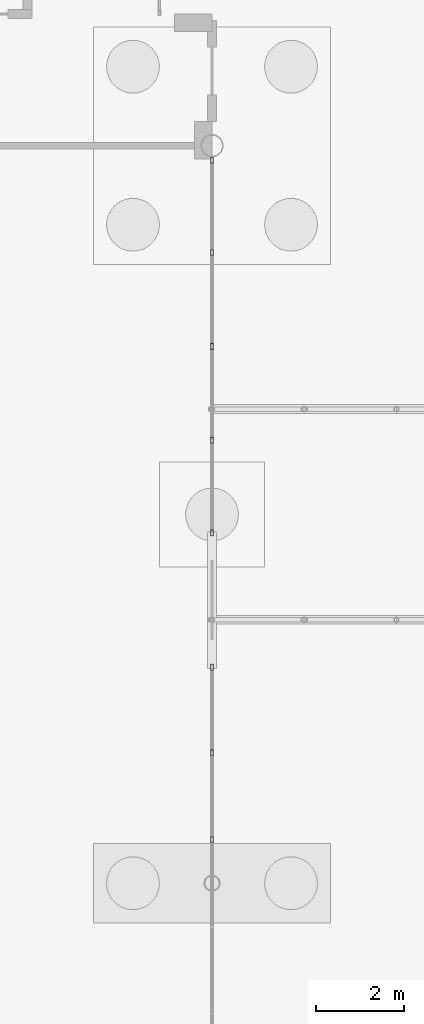
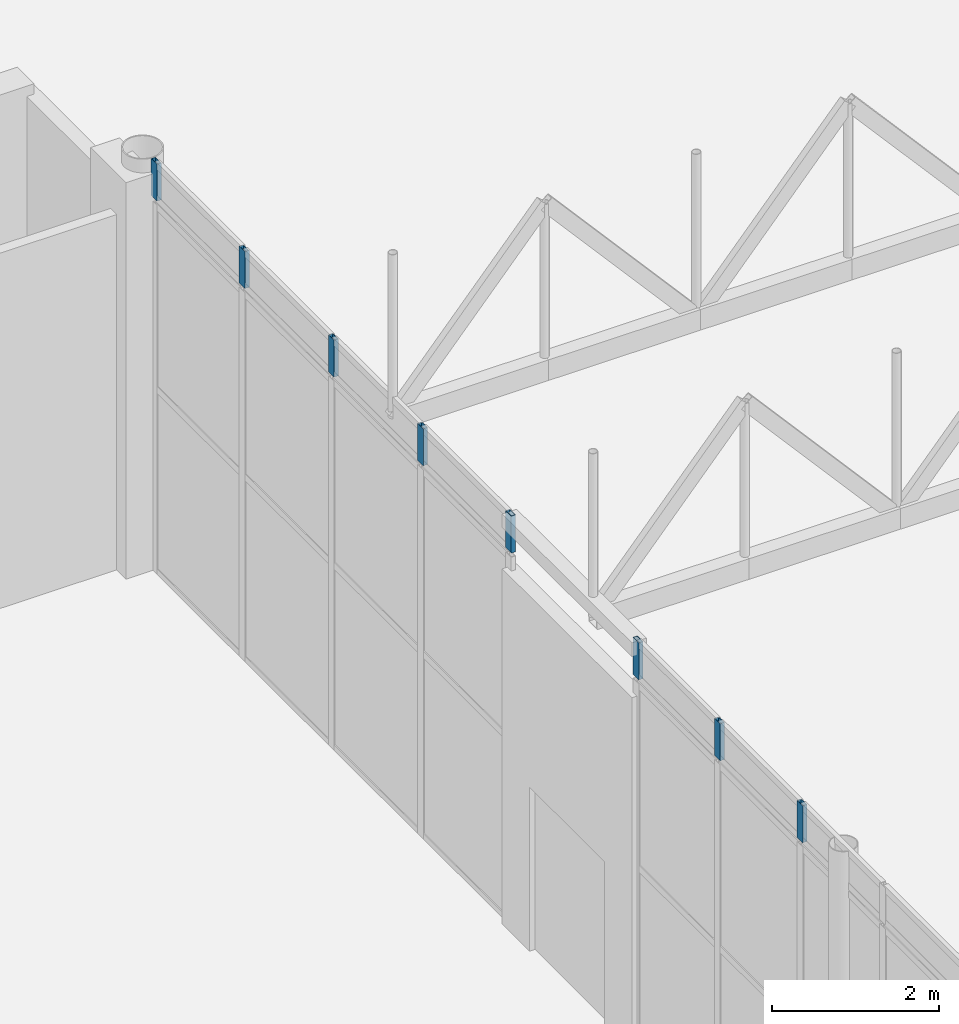
# One storey, part 167 of 212: 8 members, 2 elements without a shape of their own.
"""IFC4 building model written with IfcOpenShell, lengths in metres."""

from ifc_helpers import new_model, si_unit, direction, frame, origin, origin_2d, place, context, subcontext, project, spatial, hollow_rectangle, extrude, material, material_profile, profile_set, type_object, element, aggregate, save


model = new_model("IFC4")

# Units and contexts
model_context = context("Model", 3, precision=1e-05, world=origin(), true_north=direction((0.0, 1.0)))
body_context = subcontext(model_context, "Body", "Model", "MODEL_VIEW")
ifc_project = project(units=[si_unit("LENGTHUNIT", "METRE"), si_unit("AREAUNIT", "SQUARE_METRE"), si_unit("VOLUMEUNIT", "CUBIC_METRE"), si_unit("PLANEANGLEUNIT", "RADIAN"), si_unit("MASSUNIT", "GRAM", prefix="KILO")], contexts=[model_context])

# Site, building, storey
site_placement = place(None, origin())
site = spatial("IfcSite", under=ifc_project, at=site_placement, CompositionType="ELEMENT")
building_placement = place(site_placement, origin())
building = spatial("IfcBuilding", under=site, at=building_placement, Name="Catenary Quay Ferry Terminal", CompositionType="ELEMENT")
storey_placement = place(building_placement, origin())
storey = spatial("IfcBuildingStorey", under=building, at=storey_placement, Name="L00", CompositionType="ELEMENT", Elevation=0.0)

# Curtain wall, members
ifc_material_1 = material(Name="Aluminium and glass", Category="aluminium")
curtain_wall_type = type_object("IfcCurtainWallType", Name="CWQ", PredefinedType="NOTDEFINED", material=ifc_material_1)
curtain_wall_1_placement = place(storey_placement, origin())
curtain_wall_1 = element("IfcCurtainWall", 1, at=curtain_wall_1_placement, inside=storey, type_object=curtain_wall_type, Name="Gable band arrivals hall curtain wall CW171", PredefinedType="NOTDEFINED")
ifc_material_2 = material(Name="Aluminium", Category="aluminium")
ifc_material_profile = material_profile(ifc_material_2, hollow_rectangle(XDim=0.06005859375, YDim=0.139892578125, WallThickness=0.006103515625, at=origin_2d()), Name="MU2")
ifc_profile_set = profile_set([ifc_material_profile], Name="Aluminium")
member_type = type_object("IfcMemberType", Name="MU2", PredefinedType="MULLION", material=ifc_profile_set)
member_1_placement = place(storey_placement, frame((92.39990234375, 84.989990234375, 5.4599609375), z_axis=(0.0, 0.0, 1.0), x_axis=(-1.0, 0.0, 0.0)))
member_1 = element("IfcMember", 2, at=member_1_placement, type_object=member_type, Name="CW171 mullion 4", PredefinedType="MULLION", context=body_context, shape_type="SweptSolid", body=[
    extrude(hollow_rectangle(XDim=0.06005859375, YDim=0.139892578125, WallThickness=0.006103515625, at=origin_2d()), origin(), (0.0, 0.0, 1.0), 0.5400390625),
])
member_2_placement = place(storey_placement, frame((92.39990234375, 86.969970703125, 5.4599609375), z_axis=(0.0, 0.0, 1.0), x_axis=(-1.0, 0.0, 0.0)))
member_2 = element("IfcMember", 3, at=member_2_placement, type_object=member_type, Name="CW171 mullion 5", PredefinedType="MULLION", context=body_context, shape_type="SweptSolid", body=[
    extrude(hollow_rectangle(XDim=0.06005859375, YDim=0.139892578125, WallThickness=0.006103515625, at=origin_2d()), origin(), (0.0, 0.0, 1.0), 0.5400390625),
])
member_3_placement = place(storey_placement, frame((92.39990234375, 88.919921875, 5.4599609375), z_axis=(0.0, 0.0, 1.0), x_axis=(-1.0, 0.0, 0.0)))
member_3 = element("IfcMember", 4, at=member_3_placement, type_object=member_type, Name="CW171 mullion 6", PredefinedType="MULLION", context=body_context, shape_type="SweptSolid", body=[
    extrude(hollow_rectangle(XDim=0.06005859375, YDim=0.139892578125, WallThickness=0.006103515625, at=origin_2d()), origin(), (0.0, 0.0, 1.0), 0.5400390625),
])
aggregate(curtain_wall_1, [member_1, member_2, member_3])

curtain_wall_2_placement = place(storey_placement, origin())
curtain_wall_2 = element("IfcCurtainWall", 5, at=curtain_wall_2_placement, inside=storey, type_object=curtain_wall_type, Name="Gable band arrivals hall curtain wall CW172", PredefinedType="NOTDEFINED")
member_4_placement = place(storey_placement, frame((92.39990234375, 91.97998046875, 5.4599609375), z_axis=(0.0, 0.0, 1.0), x_axis=(-1.0, 0.0, 0.0)))
member_4 = element("IfcMember", 6, at=member_4_placement, type_object=member_type, Name="CW172 mullion 1", PredefinedType="MULLION", context=body_context, shape_type="SweptSolid", body=[
    extrude(hollow_rectangle(XDim=0.06005859375, YDim=0.139892578125, WallThickness=0.006103515625, at=origin_2d()), origin(), (0.0, 0.0, 1.0), 0.5400390625),
])
member_5_placement = place(storey_placement, frame((92.39990234375, 94.08740234375, 5.4599609375), z_axis=(0.0, 0.0, 1.0), x_axis=(-1.0, 0.0, 0.0)))
member_5 = element("IfcMember", 7, at=member_5_placement, type_object=member_type, Name="CW172 mullion 2", PredefinedType="MULLION", context=body_context, shape_type="SweptSolid", body=[
    extrude(hollow_rectangle(XDim=0.06005859375, YDim=0.139892578125, WallThickness=0.006103515625, at=origin_2d()), origin(), (0.0, 0.0, 1.0), 0.5400390625),
])
member_6_placement = place(storey_placement, frame((92.39990234375, 96.22509765625, 5.4599609375), z_axis=(0.0, 0.0, 1.0), x_axis=(-1.0, 0.0, 0.0)))
member_6 = element("IfcMember", 8, at=member_6_placement, type_object=member_type, Name="CW172 mullion 3", PredefinedType="MULLION", context=body_context, shape_type="SweptSolid", body=[
    extrude(hollow_rectangle(XDim=0.06005859375, YDim=0.139892578125, WallThickness=0.006103515625, at=origin_2d()), origin(), (0.0, 0.0, 1.0), 0.5400390625),
])
member_7_placement = place(storey_placement, frame((92.39990234375, 98.362548828125, 5.4599609375), z_axis=(0.0, 0.0, 1.0), x_axis=(-1.0, 0.0, 0.0)))
member_7 = element("IfcMember", 9, at=member_7_placement, type_object=member_type, Name="CW172 mullion 4", PredefinedType="MULLION", context=body_context, shape_type="SweptSolid", body=[
    extrude(hollow_rectangle(XDim=0.06005859375, YDim=0.139892578125, WallThickness=0.006103515625, at=origin_2d()), origin(), (0.0, 0.0, 1.0), 0.5400390625),
])
member_8_placement = place(storey_placement, frame((92.39990234375, 100.469970703125, 5.4599609375), z_axis=(0.0, 0.0, 1.0), x_axis=(-1.0, 0.0, 0.0)))
member_8 = element("IfcMember", 10, at=member_8_placement, type_object=member_type, Name="CW172 mullion 5", PredefinedType="MULLION", context=body_context, shape_type="SweptSolid", body=[
    extrude(hollow_rectangle(XDim=0.06005859375, YDim=0.139892578125, WallThickness=0.006103515625, at=origin_2d()), origin(), (0.0, 0.0, 1.0), 0.5400390625),
])
aggregate(curtain_wall_2, [member_4, member_5, member_6, member_7, member_8])

save(model, "model.ifc")
